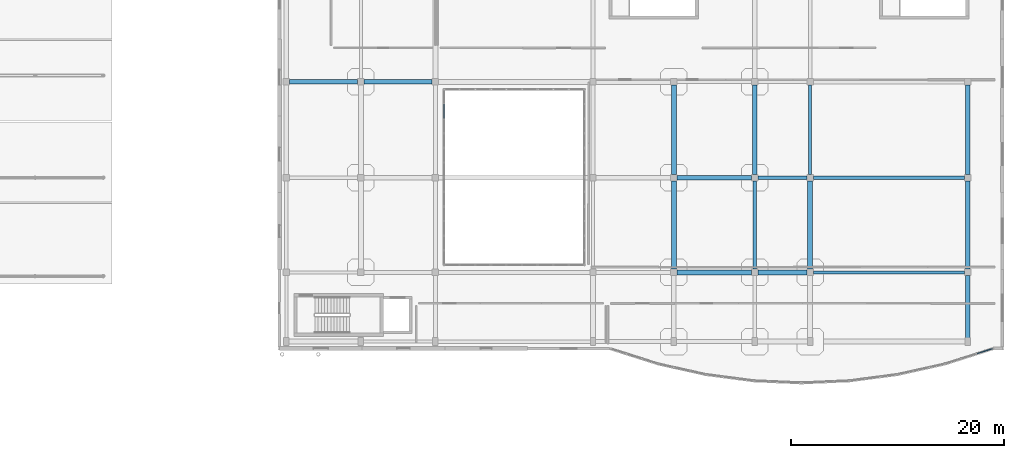
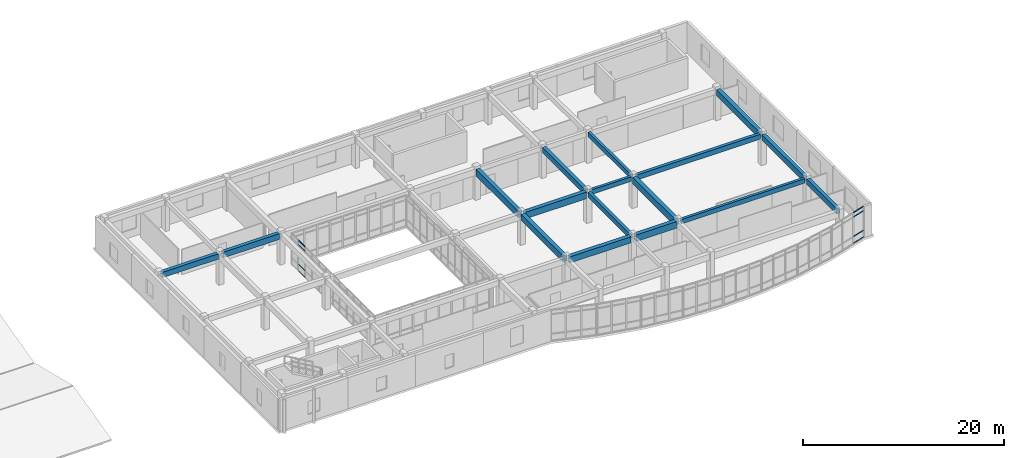
# One storey, part 56 of 91: 17 beams, 8 members, 2 elements without a shape of their own.
"""IFC4 building model written with IfcOpenShell, lengths in metres."""

from ifc_helpers import new_model, si_unit, direction, frame, origin, origin_2d, place, context, subcontext, project, spatial, rectangle, hollow_rectangle, extrude, material, layer, layer_set, material_profile, profile_set, type_object, element, aggregate, save


model = new_model("IFC4")

# Units and contexts
model_context = context("Model", 3, precision=1e-05, world=origin(), true_north=direction((0.0, 1.0)))
body_context = subcontext(model_context, "Body", "Model", "MODEL_VIEW")
ifc_project = project(units=[si_unit("LENGTHUNIT", "METRE"), si_unit("AREAUNIT", "SQUARE_METRE"), si_unit("VOLUMEUNIT", "CUBIC_METRE"), si_unit("PLANEANGLEUNIT", "RADIAN"), si_unit("MASSUNIT", "GRAM", prefix="KILO")], contexts=[model_context])

# Site, building, storey
site_placement = place(None, origin())
site = spatial("IfcSite", under=ifc_project, at=site_placement, CompositionType="ELEMENT")
building_placement = place(site_placement, origin())
building = spatial("IfcBuilding", under=site, at=building_placement, Name="Valcora Specialist Clinic", CompositionType="ELEMENT")
storey_placement = place(building_placement, frame((0.0, 0.0, 13.60009765625)))
storey = spatial("IfcBuildingStorey", under=building, at=storey_placement, Name="L03", CompositionType="ELEMENT", Elevation=13.60009765625)

# Beams
ifc_material_1 = material(Name="Concrete C40/50", Category="concrete")
ifc_material_profile_1 = material_profile(ifc_material_1, rectangle(XDim=0.300048828125, YDim=0.550048828125, at=origin_2d()), Name="RC-BM-300X550")
ifc_profile_set_1 = profile_set([ifc_material_profile_1], Name="Concrete C40/50")
beam_type_1 = type_object("IfcBeamType", Name="TY-BM-RC300X550", PredefinedType="BEAM", material=ifc_profile_set_1)
beam_1_placement = place(storey_placement, frame((111.5, 81.300048828125, 3.5), z_axis=(1.0, 0.0, 0.0), x_axis=(0.0, 1.0, 0.0)))
element("IfcBeam", 1, at=beam_1_placement, inside=storey, type_object=beam_type_1, Name="Beam BM-L03-0781", PredefinedType="BEAM", context=body_context, shape_type="SweptSolid", body=[
    extrude(rectangle(XDim=0.300048828125, YDim=0.550048828125, at=origin_2d()), origin(), (0.0, 0.0, 1.0), 14.199951171875),
])
beam_2_placement = place(storey_placement, frame((106.300048828125, 90.199951171875, 3.5), z_axis=(1.0, 0.0, 0.0), x_axis=(0.0, 1.0, 0.0)))
element("IfcBeam", 2, at=beam_2_placement, inside=storey, type_object=beam_type_1, Name="Beam BM-L03-0787", PredefinedType="BEAM", context=body_context, shape_type="SweptSolid", body=[
    extrude(rectangle(XDim=0.300048828125, YDim=0.550048828125, at=origin_2d()), origin(), (0.0, 0.0, 1.0), 4.599853515625),
])
beam_3_placement = place(storey_placement, frame((111.199951171875, 90.5, 3.5), z_axis=(0.0, 1.0, 0.0), x_axis=(-1.0, 0.0, 0.0)))
element("IfcBeam", 3, at=beam_3_placement, inside=storey, type_object=beam_type_1, Name="Beam BM-L03-0827", PredefinedType="BEAM", context=body_context, shape_type="SweptSolid", body=[
    extrude(rectangle(XDim=0.300048828125, YDim=0.550048828125, at=origin_2d()), origin(), (0.0, 0.0, 1.0), 8.39990234375),
])
ifc_material_profile_2 = material_profile(ifc_material_1, rectangle(XDim=0.35009765625, YDim=0.60009765625, at=origin_2d()), Name="RC-BM-350X600")
ifc_profile_set_2 = profile_set([ifc_material_profile_2], Name="Concrete C40/50")
beam_type_2 = type_object("IfcBeamType", Name="TY-BM-RC350X600", PredefinedType="BEAM", material=ifc_profile_set_2)
beam_4_placement = place(storey_placement, frame((111.5, 90.199951171875, 3.474853515625), z_axis=(1.0, 0.0, 0.0), x_axis=(0.0, 1.0, 0.0)))
element("IfcBeam", 4, at=beam_4_placement, inside=storey, type_object=beam_type_2, Name="Beam BM-L03-0788", PredefinedType="BEAM", context=body_context, shape_type="SweptSolid", body=[
    extrude(rectangle(XDim=0.35009765625, YDim=0.60009765625, at=origin_2d()), origin(), (0.0, 0.0, 1.0), 14.199951171875),
])
beam_5_placement = place(storey_placement, frame((106.0, 81.60009765625, 3.474853515625), z_axis=(0.0, 1.0, 0.0), x_axis=(-1.0, 0.0, 0.0)))
element("IfcBeam", 5, at=beam_5_placement, inside=storey, type_object=beam_type_2, Name="Beam BM-L03-0822", PredefinedType="BEAM", context=body_context, shape_type="SweptSolid", body=[
    extrude(rectangle(XDim=0.35009765625, YDim=0.60009765625, at=origin_2d()), origin(), (0.0, 0.0, 1.0), 8.2998046875),
])
ifc_material_profile_3 = material_profile(ifc_material_1, rectangle(XDim=0.39990234375, YDim=0.64990234375, at=origin_2d()), Name="RC-BM-400X650")
ifc_profile_set_3 = profile_set([ifc_material_profile_3], Name="Concrete C40/50")
beam_type_3 = type_object("IfcBeamType", Name="TY-BM-RC400X650", PredefinedType="BEAM", material=ifc_profile_set_3)
beam_6_placement = place(storey_placement, frame((62.300048828125, 99.199951171875, 3.449951171875), z_axis=(1.0, 0.0, 0.0), x_axis=(0.0, 1.0, 0.0)))
element("IfcBeam", 6, at=beam_6_placement, inside=storey, type_object=beam_type_3, Name="Beam BM-L03-0789", PredefinedType="BEAM", context=body_context, shape_type="SweptSolid", body=[
    extrude(rectangle(XDim=0.39990234375, YDim=0.64990234375, at=origin_2d()), origin(), (0.0, 0.0, 1.0), 6.39990234375),
])
beam_7_placement = place(storey_placement, frame((106.0, 90.5, 3.449951171875), z_axis=(0.0, 1.0, 0.0), x_axis=(-1.0, 0.0, 0.0)))
element("IfcBeam", 7, at=beam_7_placement, inside=storey, type_object=beam_type_3, Name="Beam BM-L03-0823", PredefinedType="BEAM", context=body_context, shape_type="SweptSolid", body=[
    extrude(rectangle(XDim=0.39990234375, YDim=0.64990234375, at=origin_2d()), origin(), (0.0, 0.0, 1.0), 8.39990234375),
])
beam_8_placement = place(storey_placement, frame((126.0, 75.050048828125, 3.449951171875), z_axis=(0.0, 1.0, 0.0), x_axis=(-1.0, 0.0, 0.0)))
element("IfcBeam", 8, at=beam_8_placement, inside=storey, type_object=beam_type_3, Name="Beam BM-L03-0829", PredefinedType="BEAM", context=body_context, shape_type="SweptSolid", body=[
    extrude(rectangle(XDim=0.39990234375, YDim=0.64990234375, at=origin_2d()), origin(), (0.0, 0.0, 1.0), 5.949951171875),
])
ifc_material_profile_4 = material_profile(ifc_material_1, rectangle(XDim=0.39990234375, YDim=0.699951171875, at=origin_2d()), Name="RC-BM-400X700")
ifc_profile_set_4 = profile_set([ifc_material_profile_4], Name="Concrete C40/50")
beam_type_4 = type_object("IfcBeamType", Name="TY-BM-RC400X700", PredefinedType="BEAM", material=ifc_profile_set_4)
beam_9_placement = place(storey_placement, frame((69.300048828125, 99.199951171875, 3.4248046875), z_axis=(1.0, 0.0, 0.0), x_axis=(0.0, 1.0, 0.0)))
element("IfcBeam", 9, at=beam_9_placement, inside=storey, type_object=beam_type_4, Name="Beam BM-L03-0790", PredefinedType="BEAM", context=body_context, shape_type="SweptSolid", body=[
    extrude(rectangle(XDim=0.39990234375, YDim=0.699951171875, at=origin_2d()), origin(), (0.0, 0.0, 1.0), 6.39990234375),
])
beam_10_placement = place(storey_placement, frame((126.0, 81.60009765625, 3.4248046875), z_axis=(0.0, 1.0, 0.0), x_axis=(-1.0, 0.0, 0.0)))
element("IfcBeam", 10, at=beam_10_placement, inside=storey, type_object=beam_type_4, Name="Beam BM-L03-0830", PredefinedType="BEAM", context=body_context, shape_type="SweptSolid", body=[
    extrude(rectangle(XDim=0.39990234375, YDim=0.699951171875, at=origin_2d()), origin(), (0.0, 0.0, 1.0), 8.2998046875),
])
ifc_material_profile_5 = material_profile(ifc_material_1, rectangle(XDim=0.449951171875, YDim=0.75, at=origin_2d()), Name="RC-BM-450X750")
ifc_profile_set_5 = profile_set([ifc_material_profile_5], Name="Concrete C40/50")
beam_type_5 = type_object("IfcBeamType", Name="TY-BM-RC450X750", PredefinedType="BEAM", material=ifc_profile_set_5)
beam_11_placement = place(storey_placement, frame((98.699951171875, 81.300048828125, 3.39990234375), z_axis=(1.0, 0.0, 0.0), x_axis=(0.0, 1.0, 0.0)))
element("IfcBeam", 11, at=beam_11_placement, inside=storey, type_object=beam_type_5, Name="Beam BM-L03-0779", PredefinedType="BEAM", context=body_context, shape_type="SweptSolid", body=[
    extrude(rectangle(XDim=0.449951171875, YDim=0.75, at=origin_2d()), origin(), (0.0, 0.0, 1.0), 7.0),
])
beam_12_placement = place(storey_placement, frame((98.39990234375, 81.60009765625, 3.39990234375), z_axis=(0.0, 1.0, 0.0), x_axis=(-1.0, 0.0, 0.0)))
element("IfcBeam", 12, at=beam_12_placement, inside=storey, type_object=beam_type_5, Name="Beam BM-L03-0819", PredefinedType="BEAM", context=body_context, shape_type="SweptSolid", body=[
    extrude(rectangle(XDim=0.449951171875, YDim=0.75, at=origin_2d()), origin(), (0.0, 0.0, 1.0), 8.2998046875),
])
beam_13_placement = place(storey_placement, frame((126.0, 90.5, 3.39990234375), z_axis=(0.0, 1.0, 0.0), x_axis=(-1.0, 0.0, 0.0)))
element("IfcBeam", 13, at=beam_13_placement, inside=storey, type_object=beam_type_5, Name="Beam BM-L03-0831", PredefinedType="BEAM", context=body_context, shape_type="SweptSolid", body=[
    extrude(rectangle(XDim=0.449951171875, YDim=0.75, at=origin_2d()), origin(), (0.0, 0.0, 1.0), 8.39990234375),
])
ifc_material_profile_6 = material_profile(ifc_material_1, rectangle(XDim=0.449951171875, YDim=0.800048828125, at=origin_2d()), Name="RC-BM-450X800")
ifc_profile_set_6 = profile_set([ifc_material_profile_6], Name="Concrete C40/50")
beam_type_6 = type_object("IfcBeamType", Name="TY-BM-RC450X800", PredefinedType="BEAM", material=ifc_profile_set_6)
beam_14_placement = place(storey_placement, frame((106.300048828125, 81.300048828125, 3.375), z_axis=(1.0, 0.0, 0.0), x_axis=(0.0, 1.0, 0.0)))
element("IfcBeam", 14, at=beam_14_placement, inside=storey, type_object=beam_type_6, Name="Beam BM-L03-0780", PredefinedType="BEAM", context=body_context, shape_type="SweptSolid", body=[
    extrude(rectangle(XDim=0.449951171875, YDim=0.800048828125, at=origin_2d()), origin(), (0.0, 0.0, 1.0), 4.599853515625),
])
beam_15_placement = place(storey_placement, frame((98.699951171875, 90.199951171875, 3.375), z_axis=(1.0, 0.0, 0.0), x_axis=(0.0, 1.0, 0.0)))
element("IfcBeam", 15, at=beam_15_placement, inside=storey, type_object=beam_type_6, Name="Beam BM-L03-0786", PredefinedType="BEAM", context=body_context, shape_type="SweptSolid", body=[
    extrude(rectangle(XDim=0.449951171875, YDim=0.800048828125, at=origin_2d()), origin(), (0.0, 0.0, 1.0), 7.0),
])
beam_16_placement = place(storey_placement, frame((98.39990234375, 90.5, 3.375), z_axis=(0.0, 1.0, 0.0), x_axis=(-1.0, 0.0, 0.0)))
element("IfcBeam", 16, at=beam_16_placement, inside=storey, type_object=beam_type_6, Name="Beam BM-L03-0820", PredefinedType="BEAM", context=body_context, shape_type="SweptSolid", body=[
    extrude(rectangle(XDim=0.449951171875, YDim=0.800048828125, at=origin_2d()), origin(), (0.0, 0.0, 1.0), 8.39990234375),
])
beam_17_placement = place(storey_placement, frame((111.199951171875, 81.60009765625, 3.375), z_axis=(0.0, 1.0, 0.0), x_axis=(-1.0, 0.0, 0.0)))
element("IfcBeam", 17, at=beam_17_placement, inside=storey, type_object=beam_type_6, Name="Beam BM-L03-0826", PredefinedType="BEAM", context=body_context, shape_type="SweptSolid", body=[
    extrude(rectangle(XDim=0.449951171875, YDim=0.800048828125, at=origin_2d()), origin(), (0.0, 0.0, 1.0), 8.2998046875),
])

# Curtain wall, members
ifc_material_2 = material(Name="Anodized Bronze Aluminium 6063-T6", Category="aluminium")
ifc_layer_1 = layer(ifc_material_2, 0.175048828125)
ifc_layer_set_1 = layer_set([ifc_layer_1], Name="Anodized Bronze Aluminium 6063-T6")
curtain_wall_type_1 = type_object("IfcCurtainWallType", Name="TY-CW-ARC40", PredefinedType="NOTDEFINED", material=ifc_layer_set_1)
curtain_wall_1_placement = place(storey_placement, origin())
curtain_wall_1 = element("IfcCurtainWall", 18, at=curtain_wall_1_placement, inside=storey, type_object=curtain_wall_type_1, Name="Curtain wall CW-L03-117", PredefinedType="NOTDEFINED")
ifc_material_profile_7 = material_profile(ifc_material_2, hollow_rectangle(XDim=0.06494140625, YDim=0.1298828125, WallThickness=0.00390625, at=origin_2d()), Name="AL-TRN-65X130")
ifc_profile_set_7 = profile_set([ifc_material_profile_7], Name="Anodized Bronze Aluminium 6063-T6")
member_type = type_object("IfcMemberType", Name="TY-CWT-65X130", PredefinedType="USERDEFINED", material=ifc_profile_set_7)
member_1_placement = place(storey_placement, frame((128.314697265625, 74.13037109375, 0.032470703125), z_axis=(-0.952910635624, -0.303251249816, 0.0), x_axis=(0.303251249816, -0.952910635624, 0.0)))
member_1 = element("IfcMember", 19, at=member_1_placement, type_object=member_type, Name="CW-ARC-40 transom 1.1", ObjectType="TRANSOM", PredefinedType="USERDEFINED", context=body_context, shape_type="SweptSolid", body=[
    extrude(hollow_rectangle(XDim=0.06494140625, YDim=0.1298828125, WallThickness=0.00390625, at=origin_2d()), origin(), (0.0, 0.0, 1.0), 1.482177734375),
])
member_2_placement = place(storey_placement, frame((128.314697265625, 74.13037109375, 0.849853515625), z_axis=(-0.952910635624, -0.303251249816, 0.0), x_axis=(0.303251249816, -0.952910635624, 0.0)))
member_2 = element("IfcMember", 20, at=member_2_placement, type_object=member_type, Name="CW-ARC-40 transom 1.2", ObjectType="TRANSOM", PredefinedType="USERDEFINED", context=body_context, shape_type="SweptSolid", body=[
    extrude(hollow_rectangle(XDim=0.06494140625, YDim=0.1298828125, WallThickness=0.00390625, at=origin_2d()), origin(), (0.0, 0.0, 1.0), 1.482177734375),
])
member_3_placement = place(storey_placement, frame((128.314697265625, 74.13037109375, 3.224853515625), z_axis=(-0.952910635624, -0.303251249816, 0.0), x_axis=(0.303251249816, -0.952910635624, 0.0)))
member_3 = element("IfcMember", 21, at=member_3_placement, type_object=member_type, Name="CW-ARC-40 transom 1.3", ObjectType="TRANSOM", PredefinedType="USERDEFINED", context=body_context, shape_type="SweptSolid", body=[
    extrude(hollow_rectangle(XDim=0.06494140625, YDim=0.1298828125, WallThickness=0.00390625, at=origin_2d()), origin(), (0.0, 0.0, 1.0), 1.482177734375),
])
member_4_placement = place(storey_placement, frame((128.314697265625, 74.13037109375, 3.742431640625), z_axis=(-0.952910635624, -0.303251249816, 0.0), x_axis=(0.303251249816, -0.952910635624, 0.0)))
member_4 = element("IfcMember", 22, at=member_4_placement, type_object=member_type, Name="CW-ARC-40 transom 1.4", ObjectType="TRANSOM", PredefinedType="USERDEFINED", context=body_context, shape_type="SweptSolid", body=[
    extrude(hollow_rectangle(XDim=0.06494140625, YDim=0.1298828125, WallThickness=0.00390625, at=origin_2d()), origin(), (0.0, 0.0, 1.0), 1.482177734375),
])
aggregate(curtain_wall_1, [member_1, member_2, member_3, member_4])

ifc_layer_2 = layer(ifc_material_2, 0.175048828125)
ifc_layer_set_2 = layer_set([ifc_layer_2], Name="Anodized Bronze Aluminium 6063-T6")
curtain_wall_type_2 = type_object("IfcCurtainWallType", Name="TY-CW-CRT15", PredefinedType="NOTDEFINED", material=ifc_layer_set_2)
curtain_wall_2_placement = place(storey_placement, origin())
curtain_wall_2 = element("IfcCurtainWall", 23, at=curtain_wall_2_placement, inside=storey, type_object=curtain_wall_type_2, Name="Curtain wall CW-L03-134", PredefinedType="NOTDEFINED")
member_5_placement = place(storey_placement, frame((76.800048828125, 97.092529296875, 0.032470703125), z_axis=(0.0, -1.0, 0.0), x_axis=(1.0, 0.0, 0.0)))
member_5 = element("IfcMember", 24, at=member_5_placement, type_object=member_type, Name="CW-CRT-15 transom 2.1", ObjectType="TRANSOM", PredefinedType="USERDEFINED", context=body_context, shape_type="SweptSolid", body=[
    extrude(hollow_rectangle(XDim=0.06494140625, YDim=0.1298828125, WallThickness=0.00390625, at=origin_2d()), origin(), (0.0, 0.0, 1.0), 1.31005859375),
])
member_6_placement = place(storey_placement, frame((76.800048828125, 97.092529296875, 0.849853515625), z_axis=(0.0, -1.0, 0.0), x_axis=(1.0, 0.0, 0.0)))
member_6 = element("IfcMember", 25, at=member_6_placement, type_object=member_type, Name="CW-CRT-15 transom 2.2", ObjectType="TRANSOM", PredefinedType="USERDEFINED", context=body_context, shape_type="SweptSolid", body=[
    extrude(hollow_rectangle(XDim=0.06494140625, YDim=0.1298828125, WallThickness=0.00390625, at=origin_2d()), origin(), (0.0, 0.0, 1.0), 1.31005859375),
])
member_7_placement = place(storey_placement, frame((76.800048828125, 97.092529296875, 3.224853515625), z_axis=(0.0, -1.0, 0.0), x_axis=(1.0, 0.0, 0.0)))
member_7 = element("IfcMember", 26, at=member_7_placement, type_object=member_type, Name="CW-CRT-15 transom 2.3", ObjectType="TRANSOM", PredefinedType="USERDEFINED", context=body_context, shape_type="SweptSolid", body=[
    extrude(hollow_rectangle(XDim=0.06494140625, YDim=0.1298828125, WallThickness=0.00390625, at=origin_2d()), origin(), (0.0, 0.0, 1.0), 1.31005859375),
])
member_8_placement = place(storey_placement, frame((76.800048828125, 97.092529296875, 3.742431640625), z_axis=(0.0, -1.0, 0.0), x_axis=(1.0, 0.0, 0.0)))
member_8 = element("IfcMember", 27, at=member_8_placement, type_object=member_type, Name="CW-CRT-15 transom 2.4", ObjectType="TRANSOM", PredefinedType="USERDEFINED", context=body_context, shape_type="SweptSolid", body=[
    extrude(hollow_rectangle(XDim=0.06494140625, YDim=0.1298828125, WallThickness=0.00390625, at=origin_2d()), origin(), (0.0, 0.0, 1.0), 1.31005859375),
])
aggregate(curtain_wall_2, [member_5, member_6, member_7, member_8])

save(model, "model.ifc")
